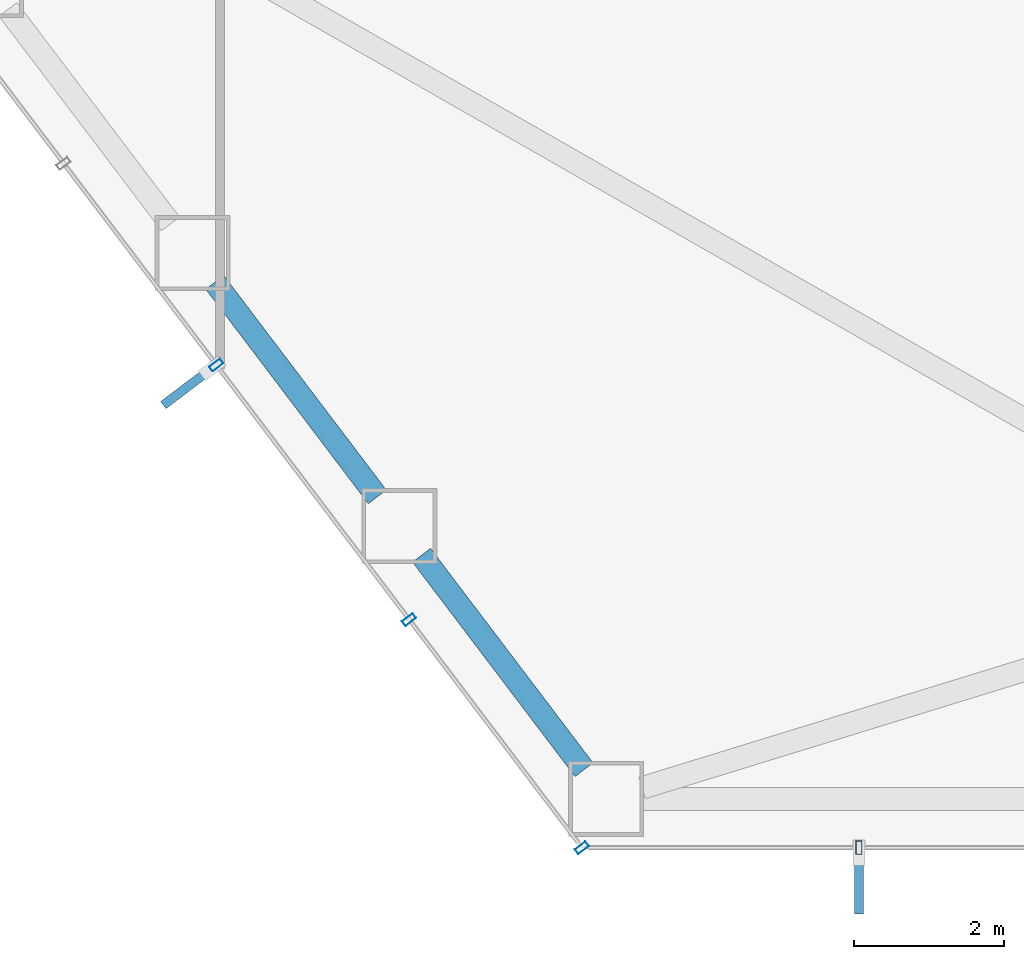
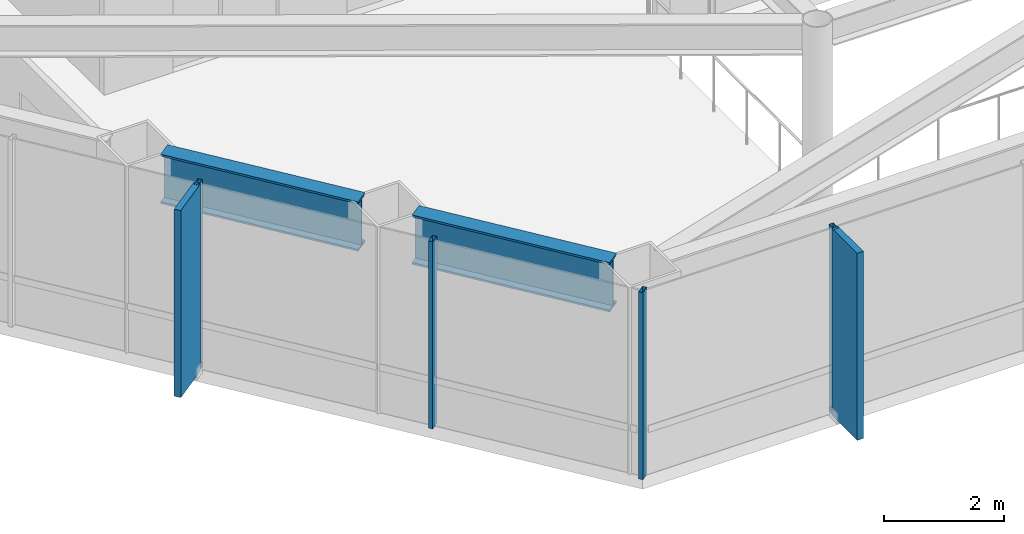
# One storey, part 2 of 25: 6 members, 2 beams, 2 elements without a shape of their own.
"""IFC4 building model written with IfcOpenShell, lengths in metres."""

from ifc_helpers import new_model, si_unit, direction, frame, origin, origin_2d, place, context, subcontext, project, spatial, rectangle, hollow_rectangle, i_section, extrude, material, layer, layer_set, material_profile, profile_set, type_object, element, aggregate, save


model = new_model("IFC4")

# Units and contexts
model_context = context("Model", 3, precision=1e-05, world=origin(), true_north=direction((0.0, 1.0)))
body_context = subcontext(model_context, "Body", "Model", "MODEL_VIEW")
ifc_project = project(units=[si_unit("LENGTHUNIT", "METRE"), si_unit("AREAUNIT", "SQUARE_METRE"), si_unit("VOLUMEUNIT", "CUBIC_METRE"), si_unit("PLANEANGLEUNIT", "RADIAN"), si_unit("MASSUNIT", "GRAM", prefix="KILO")], contexts=[model_context])

# Site, building, storey
site_placement = place(None, origin())
site = spatial("IfcSite", under=ifc_project, at=site_placement, CompositionType="ELEMENT")
building_placement = place(site_placement, origin())
building = spatial("IfcBuilding", under=site, at=building_placement, Name="Zarrinselat Tower", CompositionType="ELEMENT")
storey_placement = place(building_placement, frame((0.0, 0.0, 43.860107421875)))
storey = spatial("IfcBuildingStorey", under=building, at=storey_placement, Name="L10", CompositionType="ELEMENT", Elevation=43.860107421875)

# Beams
ifc_material_1 = material(Name="Steel S460M", Category="steel")
ifc_material_profile_1 = material_profile(ifc_material_1, i_section(OverallWidth=0.302001953125, OverallDepth=1.008056640625, WebThickness=0.02099609375, FlangeThickness=0.0400390625, at=origin_2d()), Name="HEM 1000")
ifc_profile_set_1 = profile_set([ifc_material_profile_1], Name="Steel S460M")
beam_type = type_object("IfcBeamType", Name="BM-HEM1000", PredefinedType="BEAM", material=ifc_profile_set_1)
for number, where, z_axis, x_axis, name in (
    (1, (22.4326171875, 26.557861328125, 3.31591796875), (0.603848514001, -0.797099098067, 0.0), (0.797099098067, 0.603848514001, 0.0), "L10 Perimeter Spandrel Girder SP08"),
    (2, (25.187744140625, 22.9208984375, 3.31591796875), (0.603891760732, -0.797066334329, 0.0), (0.797066334329, 0.603891760732, 0.0), "L10 Perimeter Spandrel Girder SP09"),
):
    element("IfcBeam", number, at=place(storey_placement, frame(where, z_axis=z_axis, x_axis=x_axis)), inside=storey, type_object=beam_type, Name=name, PredefinedType="BEAM", context=body_context, shape_type="SweptSolid", body=[
        extrude(i_section(OverallWidth=0.302001953125, OverallDepth=1.008056640625, WebThickness=0.02099609375, FlangeThickness=0.0400390625, at=origin_2d()), origin(), (0.0, 0.0, 1.0), 3.586669921875),
    ])

# Curtain wall, members
ifc_material_2 = material(Name="Extruded Aluminium Alloy EN AW-6063 T6", Category="aluminium")
ifc_layer = layer(ifc_material_2, 0.18505859375)
ifc_layer_set = layer_set([ifc_layer], Name="Extruded Aluminium Alloy EN AW-6063 T6")
curtain_wall_type = type_object("IfcCurtainWallType", Name="CWS-OFF", PredefinedType="NOTDEFINED", material=ifc_layer_set)
curtain_wall_1_placement = place(storey_placement, origin())
curtain_wall_1 = element("IfcCurtainWall", 3, at=curtain_wall_1_placement, inside=storey, type_object=curtain_wall_type, Name="L10 Unitised Curtain Wall CW-L10-E03", PredefinedType="NOTDEFINED")
ifc_material_3 = material(Name="Extruded Aluminium Alloy EN AW-6063 T6", Category="aluminium")
ifc_material_profile_2 = material_profile(ifc_material_3, hollow_rectangle(XDim=0.080078125, YDim=0.179931640625, WallThickness=0.0048828125, at=origin_2d()), Name="RHS 180x80x5")
ifc_profile_set_2 = profile_set([ifc_material_profile_2], Name="Extruded Aluminium Alloy EN AW-6063 T6")
member_type_1 = type_object("IfcMemberType", Name="MEM-CW-MUL", PredefinedType="MULLION", material=ifc_profile_set_2)
member_1_placement = place(storey_placement, frame((22.4521484375, 25.45556640625, 0.0), z_axis=(0.0, 0.0, 1.0), x_axis=(0.603857284091, -0.797092454142, 0.0)))
member_1 = element("IfcMember", 4, at=member_1_placement, type_object=member_type_1, Name="CW-L10-E03 Mullion 3", PredefinedType="MULLION", context=body_context, shape_type="SweptSolid", body=[
    extrude(hollow_rectangle(XDim=0.080078125, YDim=0.179931640625, WallThickness=0.0048828125, at=origin_2d()), origin(), (0.0, 0.0, 1.0), 3.81982421875),
])
member_2_placement = place(storey_placement, frame((25.022705078125, 22.0625, 0.0), z_axis=(0.0, 0.0, 1.0), x_axis=(0.603857284091, -0.797092454142, 0.0)))
member_2 = element("IfcMember", 5, at=member_2_placement, type_object=member_type_1, Name="CW-L10-E03 Mullion 4", PredefinedType="MULLION", context=body_context, shape_type="SweptSolid", body=[
    extrude(hollow_rectangle(XDim=0.080078125, YDim=0.179931640625, WallThickness=0.0048828125, at=origin_2d()), origin(), (0.0, 0.0, 1.0), 3.81982421875),
])
member_3_placement = place(storey_placement, frame((27.325439453125, 19.02294921875, 0.0), z_axis=(0.0, 0.0, 1.0), x_axis=(0.603857284091, -0.797092454142, 0.0)))
member_3 = element("IfcMember", 6, at=member_3_placement, type_object=member_type_1, Name="CW-L10-E03 Mullion 5", PredefinedType="MULLION", context=body_context, shape_type="SweptSolid", body=[
    extrude(hollow_rectangle(XDim=0.080078125, YDim=0.179931640625, WallThickness=0.0048828125, at=origin_2d()), origin(), (0.0, 0.0, 1.0), 3.81982421875),
])

# Curtain wall, member
curtain_wall_2_placement = place(storey_placement, origin())
curtain_wall_2 = element("IfcCurtainWall", 7, at=curtain_wall_2_placement, inside=storey, type_object=curtain_wall_type, Name="L10 Unitised Curtain Wall CW-L10-E04", PredefinedType="NOTDEFINED")
member_4_placement = place(storey_placement, frame((31.016845703125, 19.02294921875, 0.0), z_axis=(0.0, 0.0, 1.0), x_axis=(1.0, 0.0, 0.0)))
member_4 = element("IfcMember", 8, at=member_4_placement, type_object=member_type_1, Name="CW-L10-E04 Mullion 1", PredefinedType="MULLION", context=body_context, shape_type="SweptSolid", body=[
    extrude(hollow_rectangle(XDim=0.080078125, YDim=0.179931640625, WallThickness=0.0048828125, at=origin_2d()), origin(), (0.0, 0.0, 1.0), 3.81982421875),
])

# Member
ifc_material_4 = material(Name="Honed Cream Travertine Stone", Category="masonry")
ifc_material_profile_3 = material_profile(ifc_material_4, rectangle(XDim=0.1201171875, YDim=0.85009765625, at=origin_2d()), Name="FIN 850x120")
ifc_profile_set_3 = profile_set([ifc_material_profile_3], Name="Honed Cream Travertine Stone")
member_type_2 = type_object("IfcMemberType", Name="MEM-STONE-FIN", PredefinedType="USERDEFINED", material=ifc_profile_set_3)
member_5_placement = place(storey_placement, frame((22.08544921875, 25.177734375, 0.0), z_axis=(0.0, 0.0, 1.0), x_axis=(-0.603857284091, 0.797092454142, 0.0)))
member_5 = element("IfcMember", 9, at=member_5_placement, type_object=member_type_2, Name="L10 Stone Shading Fin CW-L10-E03-03", ObjectType="FIN", PredefinedType="USERDEFINED", context=body_context, shape_type="SweptSolid", body=[
    extrude(rectangle(XDim=0.1201171875, YDim=0.85009765625, at=origin_2d()), origin(), (0.0, 0.0, 1.0), 3.81982421875),
])

aggregate(curtain_wall_1, [member_1, member_5, member_2, member_3])

member_6_placement = place(storey_placement, frame((31.016845703125, 18.56298828125, 0.0), z_axis=(0.0, 0.0, 1.0), x_axis=(-1.0, 0.0, 0.0)))
member_6 = element("IfcMember", 10, at=member_6_placement, type_object=member_type_2, Name="L10 Stone Shading Fin CW-L10-E04-01", ObjectType="FIN", PredefinedType="USERDEFINED", context=body_context, shape_type="SweptSolid", body=[
    extrude(rectangle(XDim=0.1201171875, YDim=0.85009765625, at=origin_2d()), origin(), (0.0, 0.0, 1.0), 3.81982421875),
])

aggregate(curtain_wall_2, [member_4, member_6])

save(model, "model.ifc")
